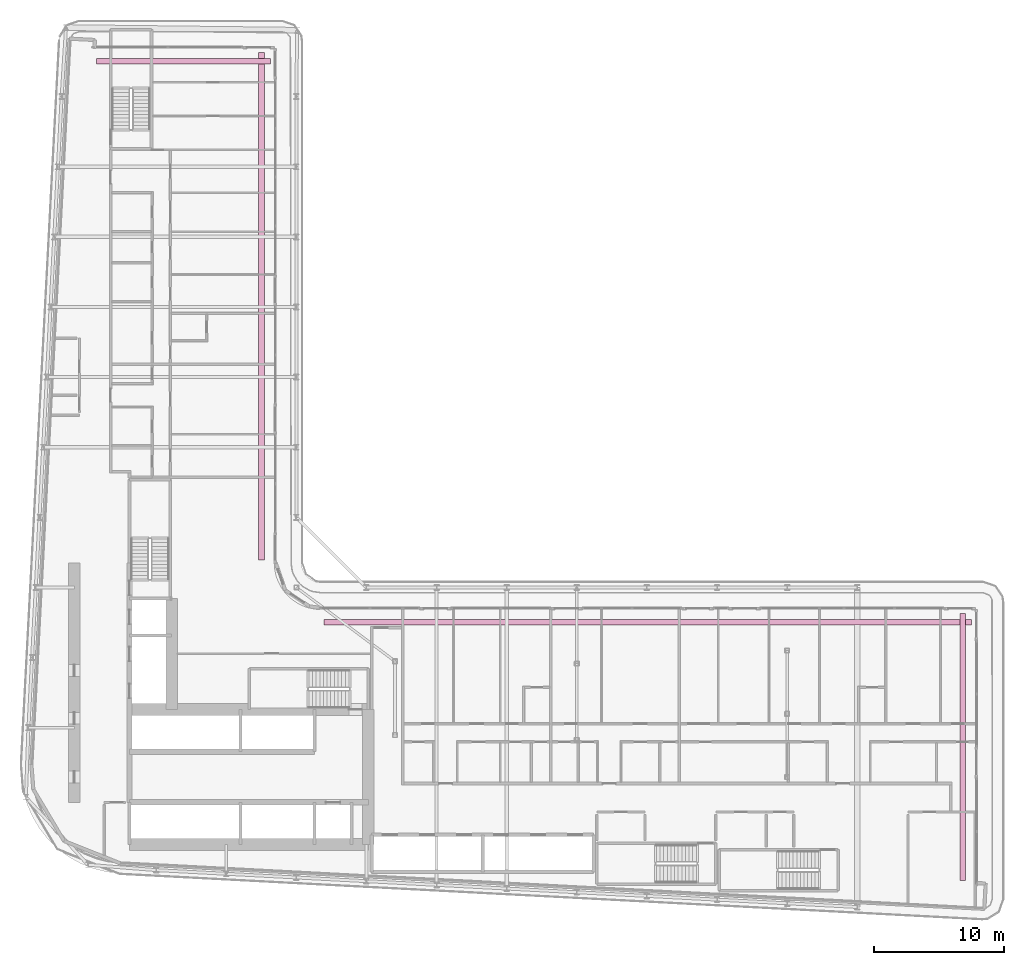
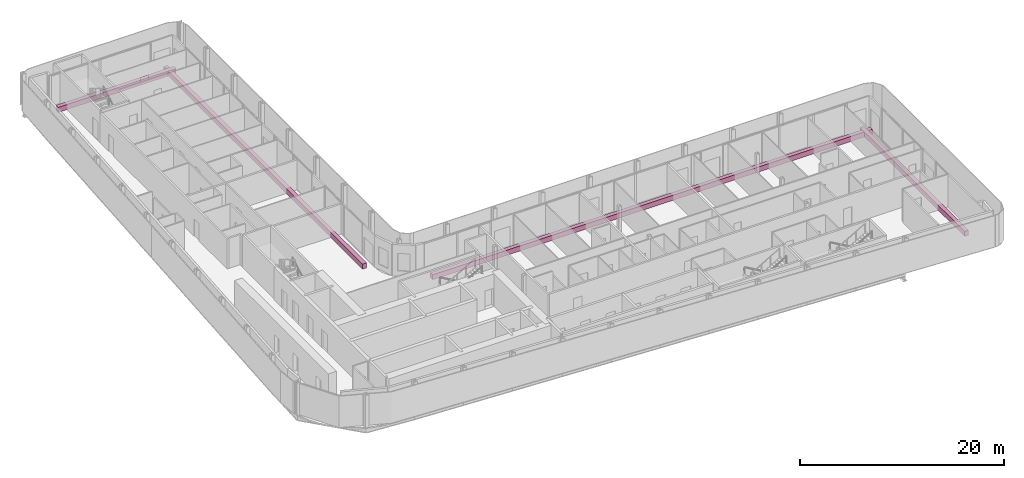
# One storey, part 27 of 27: 4 furniture elements.
"""IFC4 building model written with IfcOpenShell, lengths in metres."""

from ifc_helpers import new_model, si_unit, direction, frame, origin, origin_2d, place, context, subcontext, project, spatial, rectangle, extrude, material, type_object, element, save


model = new_model("IFC4")

# Units and contexts
model_context = context("Model", 3, precision=1e-05, world=origin(), true_north=direction((0.0, 1.0)))
body_context = subcontext(model_context, "Body", "Model", "MODEL_VIEW")
ifc_project = project(units=[si_unit("LENGTHUNIT", "METRE"), si_unit("AREAUNIT", "SQUARE_METRE"), si_unit("VOLUMEUNIT", "CUBIC_METRE"), si_unit("PLANEANGLEUNIT", "RADIAN"), si_unit("MASSUNIT", "GRAM", prefix="KILO")], contexts=[model_context])

# Site, building, storey
site_placement = place(None, origin())
site = spatial("IfcSite", under=ifc_project, at=site_placement, CompositionType="ELEMENT")
building_placement = place(site_placement, origin())
building = spatial("IfcBuilding", under=site, at=building_placement, Name="Kheshtan School and Residences Tower", CompositionType="ELEMENT")
storey_placement = place(building_placement, frame((0.0, 0.0, 98.0)))
storey = spatial("IfcBuildingStorey", under=building, at=storey_placement, Name="L22", CompositionType="ELEMENT", Elevation=98.0)

# Furniture
ifc_material = material(Name="Precast concrete C30/37 in terracotta finish", Category="masonry")
furniture_type = type_object("IfcFurnitureType", Name="Planter trough", AssemblyPlace="NOTDEFINED", PredefinedType="USERDEFINED", material=ifc_material)
furniture_1_placement = place(storey_placement, frame((38.912109375, 86.125, 0.0), z_axis=(0.0, 0.0, 1.0), x_axis=(1.0, 0.0, 0.0)))
element("IfcFurniture", 1, at=furniture_1_placement, inside=storey, type_object=furniture_type, Name="Planter L22", ObjectType="PLANTER", PredefinedType="USERDEFINED", context=body_context, shape_type="SweptSolid", body=[
    extrude(rectangle(XDim=13.3759765625, YDim=0.449951171875, at=origin_2d()), origin(), (0.0, 0.0, 1.0), 0.60009765625),
])
furniture_2_placement = place(storey_placement, frame((44.925048828125, 67.264892578125, 0.0), z_axis=(0.0, 0.0, 1.0), x_axis=(0.0, -1.0, 0.0)))
element("IfcFurniture", 2, at=furniture_2_placement, inside=storey, type_object=furniture_type, Name="Planter L22", ObjectType="PLANTER", PredefinedType="USERDEFINED", context=body_context, shape_type="SweptSolid", body=[
    extrude(rectangle(XDim=39.070068359375, YDim=0.449951171875, at=origin_2d()), origin(), (0.0, 0.0, 1.0), 0.60009765625),
])
furniture_3_placement = place(storey_placement, frame((74.6650390625, 42.925048828125, 0.0), z_axis=(0.0, 0.0, 1.0), x_axis=(1.0, 0.0, 0.0)))
element("IfcFurniture", 3, at=furniture_3_placement, inside=storey, type_object=furniture_type, Name="Planter L22", ObjectType="PLANTER", PredefinedType="USERDEFINED", context=body_context, shape_type="SweptSolid", body=[
    extrude(rectangle(XDim=49.8701171875, YDim=0.449951171875, at=origin_2d()), origin(), (0.0, 0.0, 1.0), 0.60009765625),
])
furniture_4_placement = place(storey_placement, frame((98.925048828125, 33.306884765625, 0.0), z_axis=(0.0, 0.0, 1.0), x_axis=(0.0, -1.0, 0.0)))
element("IfcFurniture", 4, at=furniture_4_placement, inside=storey, type_object=furniture_type, Name="Planter L22", ObjectType="PLANTER", PredefinedType="USERDEFINED", context=body_context, shape_type="SweptSolid", body=[
    extrude(rectangle(XDim=20.5859375, YDim=0.449951171875, at=origin_2d()), origin(), (0.0, 0.0, 1.0), 0.60009765625),
])

save(model, "model.ifc")
